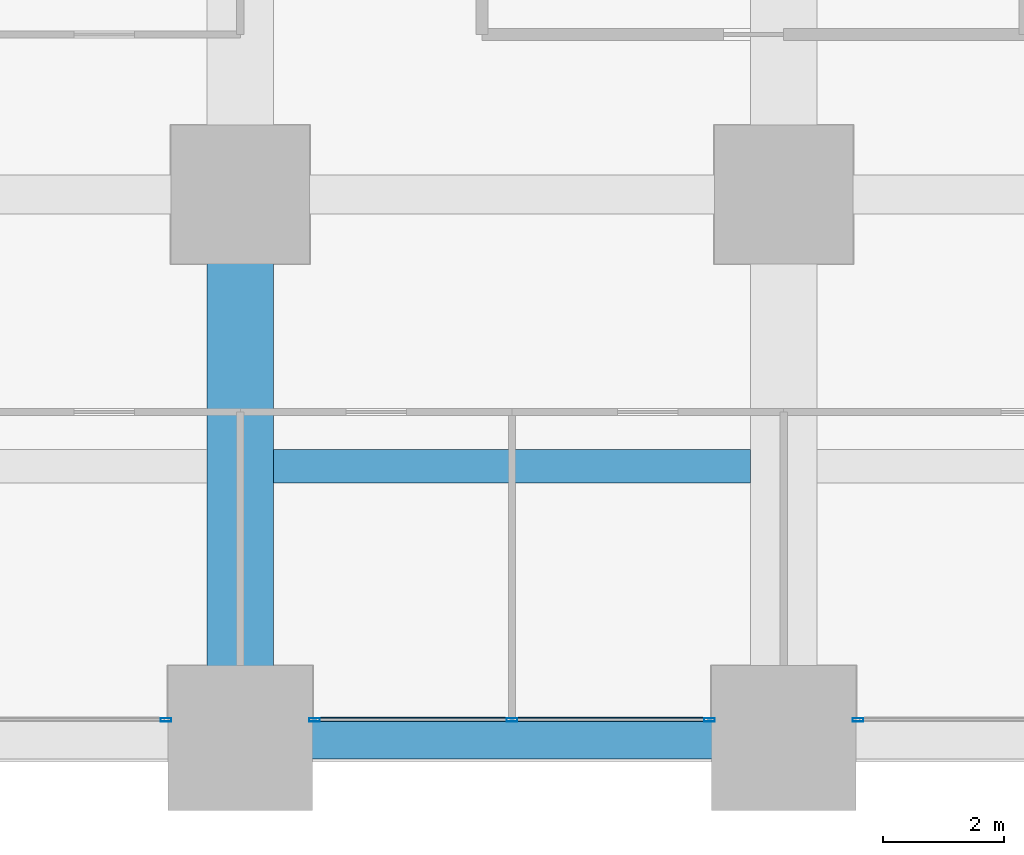
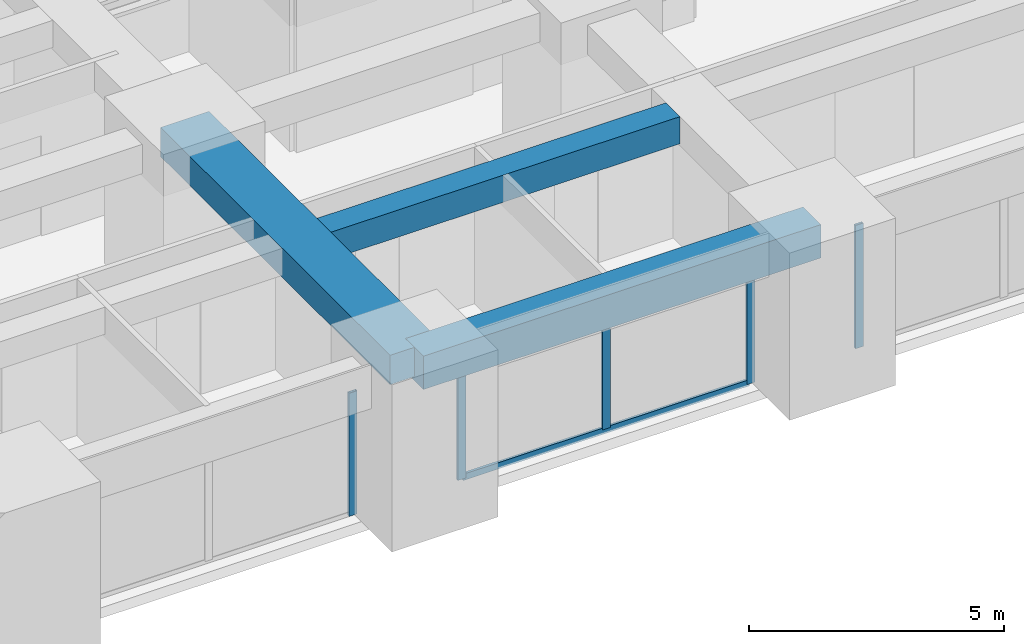
# One storey, part 6 of 45: 6 members, 3 beams, 3 elements without a shape of their own.
"""IFC4 building model written with IfcOpenShell, lengths in metres."""

from ifc_helpers import new_model, si_unit, direction, frame, origin, origin_2d, place, context, subcontext, project, spatial, rectangle, hollow_rectangle, extrude, material, material_profile, profile_set, type_object, element, aggregate, save


model = new_model("IFC4")

# Units and contexts
model_context = context("Model", 3, precision=1e-05, world=origin(), true_north=direction((0.0, 1.0)))
body_context = subcontext(model_context, "Body", "Model", "MODEL_VIEW")
ifc_project = project(units=[si_unit("LENGTHUNIT", "METRE"), si_unit("AREAUNIT", "SQUARE_METRE"), si_unit("VOLUMEUNIT", "CUBIC_METRE"), si_unit("PLANEANGLEUNIT", "RADIAN"), si_unit("MASSUNIT", "GRAM", prefix="KILO")], contexts=[model_context])

# Site, building, storey
site_placement = place(None, origin())
site = spatial("IfcSite", under=ifc_project, at=site_placement, CompositionType="ELEMENT")
building_placement = place(site_placement, origin())
building = spatial("IfcBuilding", under=site, at=building_placement, Name="Zorevar Civic Tower", CompositionType="ELEMENT")
storey_placement = place(building_placement, frame((0.0, 0.0, 27.800048828125)))
storey = spatial("IfcBuildingStorey", under=building, at=storey_placement, Name="L06", CompositionType="ELEMENT", Elevation=27.800048828125)

# Beams
ifc_material_1 = material(Name="Concrete C50/60", Category="concrete")
ifc_material_profile_1 = material_profile(ifc_material_1, rectangle(XDim=1.10009765625, YDim=0.699951171875, at=origin_2d()), Name="RC 1100x700")
ifc_profile_set_1 = profile_set([ifc_material_profile_1], Name="Concrete C50/60")
beam_type_1 = type_object("IfcBeamType", Name="Beam RC 1100x700", PredefinedType="BEAM", material=ifc_profile_set_1)
beam_1_placement = place(storey_placement, frame((18.0, 0.0, 3.39990234375), z_axis=(0.0, 1.0, 0.0), x_axis=(-1.0, 0.0, 0.0)))
element("IfcBeam", 1, at=beam_1_placement, inside=storey, type_object=beam_type_1, Name="Girder L07", PredefinedType="BEAM", context=body_context, shape_type="SweptSolid", body=[
    extrude(rectangle(XDim=1.10009765625, YDim=0.699951171875, at=origin_2d()), origin(), (0.0, 0.0, 1.0), 9.0),
])
ifc_material_2 = material(Name="Concrete C50/60", Category="concrete")
ifc_material_profile_2 = material_profile(ifc_material_2, rectangle(XDim=0.550048828125, YDim=0.64990234375, at=origin_2d()), Name="RC 550x650")
ifc_profile_set_2 = profile_set([ifc_material_profile_2], Name="Concrete C50/60")
beam_type_2 = type_object("IfcBeamType", Name="Beam RC 550x650", PredefinedType="BEAM", material=ifc_profile_set_2)
beam_2_placement = place(storey_placement, frame((18.550048828125, 4.5, 3.425048828125), z_axis=(1.0, 0.0, 0.0), x_axis=(0.0, 1.0, 0.0)))
element("IfcBeam", 2, at=beam_2_placement, inside=storey, type_object=beam_type_2, Name="Secondary beam L07", PredefinedType="BEAM", context=body_context, shape_type="SweptSolid", body=[
    extrude(rectangle(XDim=0.550048828125, YDim=0.64990234375, at=origin_2d()), origin(), (0.0, 0.0, 1.0), 7.89990234375),
])

# Curtain wall, member
ifc_material_3 = material(Name="Dark grey solar-control glass in black aluminium frame", Category="aluminium")
curtain_wall_type = type_object("IfcCurtainWallType", Name="Curtain wall CW2 low zone", PredefinedType="NOTDEFINED", material=ifc_material_3)
curtain_wall_1_placement = place(storey_placement, origin())
curtain_wall_1 = element("IfcCurtainWall", 3, at=curtain_wall_1_placement, inside=storey, type_object=curtain_wall_type, Name="CW2 L06", PredefinedType="NOTDEFINED")
ifc_material_4 = material(Name="Aluminium, black anodised", Category="aluminium")
ifc_material_profile_3 = material_profile(ifc_material_4, hollow_rectangle(XDim=0.06005859375, YDim=0.179931640625, WallThickness=0.00390625, at=origin_2d()), Name="AL 180x60x4")
ifc_profile_set_3 = profile_set([ifc_material_profile_3], Name="Aluminium, black anodised")
member_type_1 = type_object("IfcMemberType", Name="CW2 mullion AL 180x60x4", PredefinedType="MULLION", material=ifc_profile_set_3)
member_1_placement = place(storey_placement, frame((16.77001953125, 0.300048828125, 0.0), z_axis=(0.0, 0.0, 1.0), x_axis=(0.0, 1.0, 0.0)))
member_1 = element("IfcMember", 4, at=member_1_placement, type_object=member_type_1, Name="CW2 mullion 3", PredefinedType="MULLION", context=body_context, shape_type="SweptSolid", body=[
    extrude(hollow_rectangle(XDim=0.06005859375, YDim=0.179931640625, WallThickness=0.00390625, at=origin_2d()), origin(), (0.0, 0.0, 1.0), 2.949951171875),
])
aggregate(curtain_wall_1, [member_1])

# Curtain wall, members
curtain_wall_2_placement = place(storey_placement, origin())
curtain_wall_2 = element("IfcCurtainWall", 5, at=curtain_wall_2_placement, inside=storey, type_object=curtain_wall_type, Name="CW2 L06", PredefinedType="NOTDEFINED")
member_2_placement = place(storey_placement, frame((19.22998046875, 0.300048828125, 0.0), z_axis=(0.0, 0.0, 1.0), x_axis=(0.0, 1.0, 0.0)))
member_2 = element("IfcMember", 6, at=member_2_placement, type_object=member_type_1, Name="CW2 mullion 1", PredefinedType="MULLION", context=body_context, shape_type="SweptSolid", body=[
    extrude(hollow_rectangle(XDim=0.06005859375, YDim=0.179931640625, WallThickness=0.00390625, at=origin_2d()), origin(), (0.0, 0.0, 1.0), 2.949951171875),
])
member_3_placement = place(storey_placement, frame((22.5, 0.300048828125, 0.06005859375), z_axis=(0.0, 0.0, 1.0), x_axis=(0.0, 1.0, 0.0)))
member_3 = element("IfcMember", 7, at=member_3_placement, type_object=member_type_1, Name="CW2 mullion 2", PredefinedType="MULLION", context=body_context, shape_type="SweptSolid", body=[
    extrude(hollow_rectangle(XDim=0.06005859375, YDim=0.179931640625, WallThickness=0.00390625, at=origin_2d()), origin(), (0.0, 0.0, 1.0), 2.889892578125),
])
member_4_placement = place(storey_placement, frame((25.77001953125, 0.300048828125, 0.0), z_axis=(0.0, 0.0, 1.0), x_axis=(0.0, 1.0, 0.0)))
member_4 = element("IfcMember", 8, at=member_4_placement, type_object=member_type_1, Name="CW2 mullion 3", PredefinedType="MULLION", context=body_context, shape_type="SweptSolid", body=[
    extrude(hollow_rectangle(XDim=0.06005859375, YDim=0.179931640625, WallThickness=0.00390625, at=origin_2d()), origin(), (0.0, 0.0, 1.0), 2.949951171875),
])

# Curtain wall, member
curtain_wall_3_placement = place(storey_placement, origin())
curtain_wall_3 = element("IfcCurtainWall", 9, at=curtain_wall_3_placement, inside=storey, type_object=curtain_wall_type, Name="CW2 L06", PredefinedType="NOTDEFINED")
member_5_placement = place(storey_placement, frame((28.22998046875, 0.300048828125, 0.0), z_axis=(0.0, 0.0, 1.0), x_axis=(0.0, 1.0, 0.0)))
member_5 = element("IfcMember", 10, at=member_5_placement, type_object=member_type_1, Name="CW2 mullion 1", PredefinedType="MULLION", context=body_context, shape_type="SweptSolid", body=[
    extrude(hollow_rectangle(XDim=0.06005859375, YDim=0.179931640625, WallThickness=0.00390625, at=origin_2d()), origin(), (0.0, 0.0, 1.0), 2.949951171875),
])
aggregate(curtain_wall_3, [member_5])

# Member
ifc_material_5 = material(Name="Aluminium, black anodised", Category="aluminium")
ifc_material_profile_4 = material_profile(ifc_material_5, hollow_rectangle(XDim=0.06005859375, YDim=0.14990234375, WallThickness=0.00390625, at=origin_2d()), Name="AL 150x60x4")
ifc_profile_set_4 = profile_set([ifc_material_profile_4], Name="Aluminium, black anodised")
member_type_2 = type_object("IfcMemberType", Name="CW2 transom AL 150x60x4", PredefinedType="USERDEFINED", material=ifc_profile_set_4)
member_6_placement = place(storey_placement, frame((19.260009765625, 0.300048828125, 0.030029296875), z_axis=(1.0, 0.0, 0.0), x_axis=(0.0, 1.0, 0.0)))
member_6 = element("IfcMember", 11, at=member_6_placement, type_object=member_type_2, Name="CW2 sill transom", ObjectType="TRANSOM", PredefinedType="USERDEFINED", context=body_context, shape_type="SweptSolid", body=[
    extrude(hollow_rectangle(XDim=0.06005859375, YDim=0.14990234375, WallThickness=0.00390625, at=origin_2d()), origin(), (0.0, 0.0, 1.0), 6.47998046875),
])

aggregate(curtain_wall_2, [member_2, member_3, member_4, member_6])

# Beam
ifc_material_6 = material(Name="Concrete C50/60", Category="concrete")
ifc_material_profile_5 = material_profile(ifc_material_6, rectangle(XDim=0.699951171875, YDim=0.800048828125, at=origin_2d()), Name="RC 700x800")
ifc_profile_set_5 = profile_set([ifc_material_profile_5], Name="Concrete C50/60")
beam_type_3 = type_object("IfcBeamType", Name="Edge beam RC 700x800", PredefinedType="SPANDREL", material=ifc_profile_set_5)
beam_3_placement = place(storey_placement, frame((18.0, 0.0, 3.349853515625), z_axis=(1.0, 0.0, 0.0), x_axis=(0.0, 1.0, 0.0)))
element("IfcBeam", 12, at=beam_3_placement, inside=storey, type_object=beam_type_3, Name="Edge beam L07", PredefinedType="SPANDREL", context=body_context, shape_type="SweptSolid", body=[
    extrude(rectangle(XDim=0.699951171875, YDim=0.800048828125, at=origin_2d()), origin(), (0.0, 0.0, 1.0), 9.0),
])

save(model, "model.ifc")
